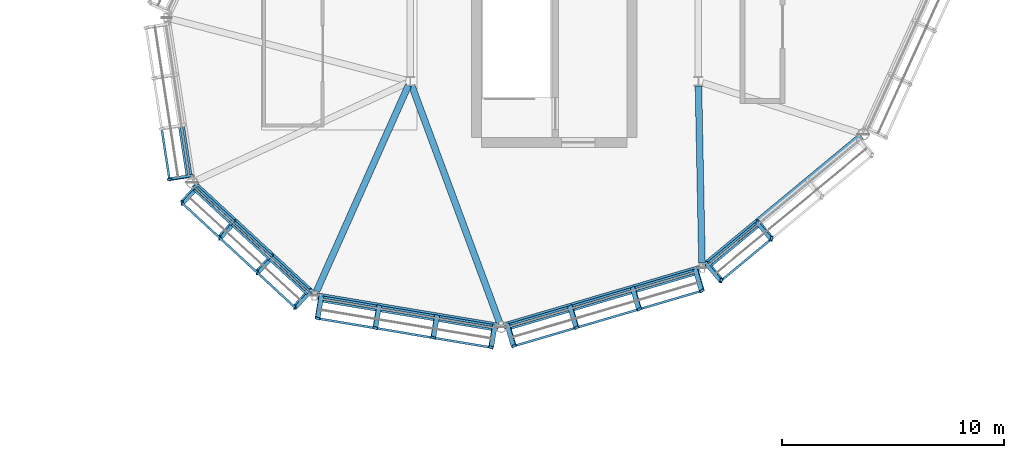
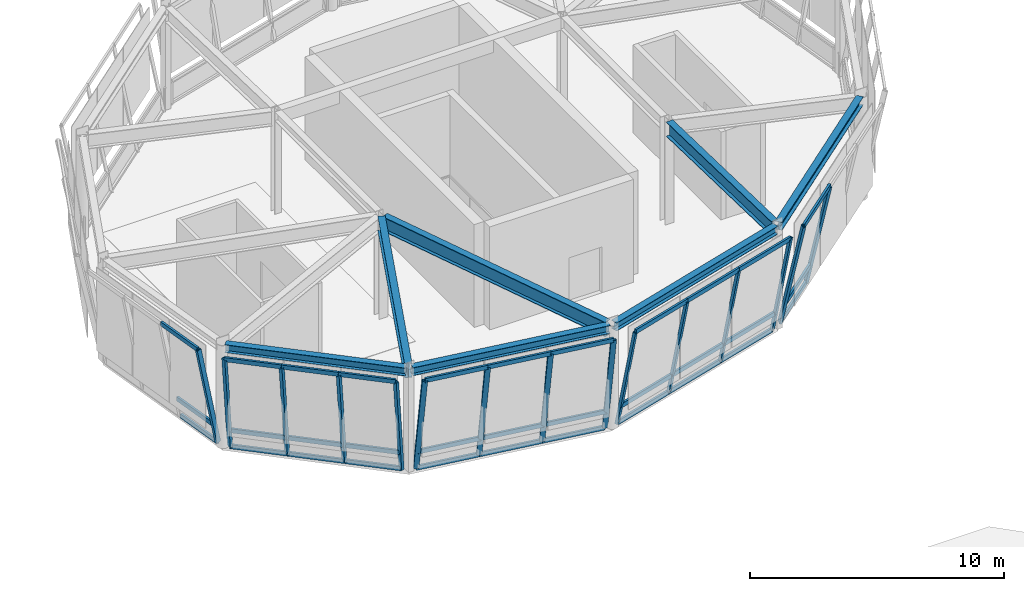
# One storey, part 54 of 113: 48 members, 7 beams, 5 elements without a shape of their own.
"""IFC4 building model written with IfcOpenShell, lengths in metres."""

from ifc_helpers import new_model, si_unit, direction, frame, origin, origin_2d, place, context, subcontext, project, spatial, hollow_rectangle, i_section, extrude, material, material_profile, profile_set, type_object, element, aggregate, save


model = new_model("IFC4")

# Units and contexts
model_context = context("Model", 3, precision=1e-05, world=origin(), true_north=direction((0.0, 1.0)))
body_context = subcontext(model_context, "Body", "Model", "MODEL_VIEW")
ifc_project = project(units=[si_unit("LENGTHUNIT", "METRE"), si_unit("AREAUNIT", "SQUARE_METRE"), si_unit("VOLUMEUNIT", "CUBIC_METRE"), si_unit("PLANEANGLEUNIT", "RADIAN"), si_unit("MASSUNIT", "GRAM", prefix="KILO")], contexts=[model_context])

# Site, building, storey
site_placement = place(None, origin())
site = spatial("IfcSite", under=ifc_project, at=site_placement, CompositionType="ELEMENT")
building_placement = place(site_placement, origin())
building = spatial("IfcBuilding", under=site, at=building_placement, Name="Linyun Crest Stadium", CompositionType="ELEMENT")
storey_placement = place(building_placement, frame((0.0, 0.0, 26.39990234375)))
storey = spatial("IfcBuildingStorey", under=building, at=storey_placement, Name="L06", CompositionType="ELEMENT", Elevation=26.39990234375)

# Beams
ifc_material_1 = material(Name="Steel Q355C", Category="steel")
ifc_material_profile_1 = material_profile(ifc_material_1, i_section(OverallWidth=0.300048828125, OverallDepth=0.389892578125, WebThickness=0.010009765625, FlangeThickness=0.01611328125, at=origin_2d()), Name="HM 390x300")
ifc_profile_set_1 = profile_set([ifc_material_profile_1], Name="Steel Q355C")
beam_type_1 = type_object("IfcBeamType", Name="B06", PredefinedType="BEAM", material=ifc_profile_set_1)
beam_1_placement = place(storey_placement, frame((57.2529296875, 75.85888671875, 4.75), z_axis=(0.734193861678, -0.678939889441, 0.0), x_axis=(0.678939889441, 0.734193861678, 0.0)))
element("IfcBeam", 1, at=beam_1_placement, inside=storey, type_object=beam_type_1, Name="Pod ring girder B06 L06 181", PredefinedType="BEAM", context=body_context, shape_type="SweptSolid", body=[
    extrude(i_section(OverallWidth=0.300048828125, OverallDepth=0.389892578125, WebThickness=0.010009765625, FlangeThickness=0.01611328125, at=origin_2d()), origin(), (0.0, 0.0, 1.0), 7.28173828125),
])
beam_2_placement = place(storey_placement, frame((62.804931640625, 70.81396484375, 4.75), z_axis=(0.986275969976, -0.165105151487, 0.0), x_axis=(0.165105151487, 0.986275969976, 0.0)))
element("IfcBeam", 2, at=beam_2_placement, inside=storey, type_object=beam_type_1, Name="Pod ring girder B06 L06 183", PredefinedType="BEAM", context=body_context, shape_type="SweptSolid", body=[
    extrude(i_section(OverallWidth=0.300048828125, OverallDepth=0.389892578125, WebThickness=0.010009765625, FlangeThickness=0.01611328125, at=origin_2d()), origin(), (0.0, 0.0, 1.0), 8.296875),
])
beam_3_placement = place(storey_placement, frame((71.220947265625, 69.4580078125, 4.75), z_axis=(0.959427571735, 0.281955199623, 0.0), x_axis=(-0.281955199623, 0.959427571735, 0.0)))
element("IfcBeam", 3, at=beam_3_placement, inside=storey, type_object=beam_type_1, Name="Pod ring girder B06 L06 185", PredefinedType="BEAM", context=body_context, shape_type="SweptSolid", body=[
    extrude(i_section(OverallWidth=0.300048828125, OverallDepth=0.389892578125, WebThickness=0.010009765625, FlangeThickness=0.01611328125, at=origin_2d()), origin(), (0.0, 0.0, 1.0), 9.203369140625),
])
beam_4_placement = place(storey_placement, frame((80.258056640625, 72.1640625, 4.75), z_axis=(0.770371409823, 0.637595397512, 0.0), x_axis=(-0.637595397512, 0.770371409823, 0.0)))
element("IfcBeam", 4, at=beam_4_placement, inside=storey, type_object=beam_type_1, Name="Pod ring girder B06 L06 187", PredefinedType="BEAM", context=body_context, shape_type="SweptSolid", body=[
    extrude(i_section(OverallWidth=0.300048828125, OverallDepth=0.389892578125, WebThickness=0.010009765625, FlangeThickness=0.01611328125, at=origin_2d()), origin(), (0.0, 0.0, 1.0), 9.204833984375),
])
ifc_material_2 = material(Name="Steel Q355C", Category="steel")
ifc_material_profile_2 = material_profile(ifc_material_2, i_section(OverallWidth=0.300048828125, OverallDepth=0.699951171875, WebThickness=0.012939453125, FlangeThickness=0.02392578125, at=origin_2d()), Name="HN 700x300")
ifc_profile_set_2 = profile_set([ifc_material_profile_2], Name="Steel Q355C")
beam_type_2 = type_object("IfcBeamType", Name="B12", PredefinedType="BEAM", material=ifc_profile_set_2)
beam_5_placement = place(storey_placement, frame((66.9189453125, 80.31689453125, 4.59521484375), z_axis=(-0.407495258441, -0.913207322763, 0.0), x_axis=(0.913207322763, -0.407495258441, 0.0)))
element("IfcBeam", 5, at=beam_5_placement, inside=storey, type_object=beam_type_2, Name="Pod radial tie girder B12 L06 184", PredefinedType="BEAM", context=body_context, shape_type="SweptSolid", body=[
    extrude(i_section(OverallWidth=0.300048828125, OverallDepth=0.699951171875, WebThickness=0.012939453125, FlangeThickness=0.02392578125, at=origin_2d()), origin(), (0.0, 0.0, 1.0), 10.1640625),
])
beam_6_placement = place(storey_placement, frame((67.070068359375, 80.31201171875, 4.59521484375), z_axis=(0.347593524127, -0.937645317796, 0.0), x_axis=(0.937645317796, 0.347593524127, 0.0)))
element("IfcBeam", 6, at=beam_6_placement, inside=storey, type_object=beam_type_2, Name="Pod radial tie girder B12 L06 186", PredefinedType="BEAM", context=body_context, shape_type="SweptSolid", body=[
    extrude(i_section(OverallWidth=0.300048828125, OverallDepth=0.699951171875, WebThickness=0.012939453125, FlangeThickness=0.02392578125, at=origin_2d()), origin(), (0.0, 0.0, 1.0), 11.392578125),
])
beam_7_placement = place(storey_placement, frame((80.00390625, 80.300048828125, 4.59521484375), z_axis=(0.01978842746, -0.999804189899, 0.0), x_axis=(0.999804189899, 0.01978842746, 0.0)))
element("IfcBeam", 7, at=beam_7_placement, inside=storey, type_object=beam_type_2, Name="Pod radial tie girder B12 L06 188", PredefinedType="BEAM", context=body_context, shape_type="SweptSolid", body=[
    extrude(i_section(OverallWidth=0.300048828125, OverallDepth=0.699951171875, WebThickness=0.012939453125, FlangeThickness=0.02392578125, at=origin_2d()), origin(), (0.0, 0.0, 1.0), 7.99462890625),
])

# Curtain wall, member
ifc_material_3 = material(Name="Verdigris steel and low-E curtain wall assembly", Category="steel")
curtain_wall_type = type_object("IfcCurtainWallType", Name="MCW04", PredefinedType="NOTDEFINED", material=ifc_material_3)
curtain_wall_1_placement = place(storey_placement, origin())
curtain_wall_1 = element("IfcCurtainWall", 8, at=curtain_wall_1_placement, inside=storey, type_object=curtain_wall_type, Name="CWR-066", PredefinedType="NOTDEFINED")
ifc_material_4 = material(Name="Verdigris painted steel Q355C pod mullion", Category="steel")
ifc_material_profile_3 = material_profile(ifc_material_4, hollow_rectangle(XDim=0.1201171875, YDim=0.219970703125, WallThickness=0.008056640625, at=origin_2d()), Name="RHS 220x120x8")
ifc_profile_set_3 = profile_set([ifc_material_profile_3], Name="Verdigris painted steel Q355C pod mullion")
member_type_1 = type_object("IfcMemberType", Name="ML04", PredefinedType="MULLION", material=ifc_profile_set_3)
member_1_placement = place(storey_placement, frame((57.118896484375, 76.237060546875, 0.0), z_axis=(-0.196953878333, -0.030274090271, 0.979945227688), x_axis=(0.297501139584, -0.954240107788, 0.030313175927)))
member_1 = element("IfcMember", 9, at=member_1_placement, type_object=member_type_1, Name="CWR-066 mullion 4", PredefinedType="MULLION", context=body_context, shape_type="SweptSolid", body=[
    extrude(hollow_rectangle(XDim=0.1201171875, YDim=0.219970703125, WallThickness=0.008056640625, at=origin_2d()), origin(), (0.0, 0.0, 1.0), 4.95947265625),
])

# Curtain wall, members
curtain_wall_2_placement = place(storey_placement, origin())
curtain_wall_2 = element("IfcCurtainWall", 10, at=curtain_wall_2_placement, inside=storey, type_object=curtain_wall_type, Name="CWR-067", PredefinedType="NOTDEFINED")
member_2_placement = place(storey_placement, frame((57.385009765625, 75.736083984375, 0.0), z_axis=(-0.135271864626, -0.146396843303, 0.979933409427), x_axis=(0.986900996133, 0.06784214931, 0.146368940042)))
member_2 = element("IfcMember", 11, at=member_2_placement, type_object=member_type_1, Name="CWR-067 mullion 1", PredefinedType="MULLION", context=body_context, shape_type="SweptSolid", body=[
    extrude(hollow_rectangle(XDim=0.1201171875, YDim=0.219970703125, WallThickness=0.008056640625, at=origin_2d()), origin(), (0.0, 0.0, 1.0), 4.959716796875),
])
member_3_placement = place(storey_placement, frame((59.0791015625, 74.169921875, 0.0), z_axis=(-0.135321163974, -0.146347697524, 0.979933943697), x_axis=(0.986924878518, 0.067498016121, 0.146367011251)))
member_3 = element("IfcMember", 12, at=member_3_placement, type_object=member_type_1, Name="CWR-067 mullion 2", PredefinedType="MULLION", context=body_context, shape_type="SweptSolid", body=[
    extrude(hollow_rectangle(XDim=0.1201171875, YDim=0.219970703125, WallThickness=0.008056640625, at=origin_2d()), origin(), (0.0, 0.0, 1.0), 4.959716796875),
])
member_4_placement = place(storey_placement, frame((60.77294921875, 72.60400390625, 0.0), z_axis=(-0.135271864626, -0.146396843303, 0.979933409427), x_axis=(0.986900996133, 0.06784214931, 0.146368940042)))
member_4 = element("IfcMember", 13, at=member_4_placement, type_object=member_type_1, Name="CWR-067 mullion 3", PredefinedType="MULLION", context=body_context, shape_type="SweptSolid", body=[
    extrude(hollow_rectangle(XDim=0.1201171875, YDim=0.219970703125, WallThickness=0.008056640625, at=origin_2d()), origin(), (0.0, 0.0, 1.0), 4.959716796875),
])
member_5_placement = place(storey_placement, frame((62.467041015625, 71.0380859375, 0.0), z_axis=(-0.135320188959, -0.146395868303, 0.979926883091), x_axis=(0.986910030281, 0.067659651153, 0.146392498909)))
member_5 = element("IfcMember", 14, at=member_5_placement, type_object=member_type_1, Name="CWR-067 mullion 4", PredefinedType="MULLION", context=body_context, shape_type="SweptSolid", body=[
    extrude(hollow_rectangle(XDim=0.1201171875, YDim=0.219970703125, WallThickness=0.008056640625, at=origin_2d()), origin(), (0.0, 0.0, 1.0), 4.959716796875),
])

curtain_wall_3_placement = place(storey_placement, origin())
curtain_wall_3 = element("IfcCurtainWall", 15, at=curtain_wall_3_placement, inside=storey, type_object=curtain_wall_type, Name="CWR-068", PredefinedType="NOTDEFINED")
member_6_placement = place(storey_placement, frame((62.98291015625, 70.783935546875, 0.0), z_axis=(-0.032833742862, -0.196559423159, 0.979942007721), x_axis=(0.322032514428, 0.926101088743, 0.196549823403)))
member_6 = element("IfcMember", 16, at=member_6_placement, type_object=member_type_1, Name="CWR-068 mullion 1", PredefinedType="MULLION", context=body_context, shape_type="SweptSolid", body=[
    extrude(hollow_rectangle(XDim=0.1201171875, YDim=0.219970703125, WallThickness=0.008056640625, at=origin_2d()), origin(), (0.0, 0.0, 1.0), 4.95947265625),
])
member_7_placement = place(storey_placement, frame((65.592041015625, 70.346923828125, 0.0), z_axis=(-0.032882915676, -0.196559105228, 0.979940422683), x_axis=(0.322257872958, 0.926021062596, 0.196557510528)))
member_7 = element("IfcMember", 17, at=member_7_placement, type_object=member_type_1, Name="CWR-068 mullion 2", PredefinedType="MULLION", context=body_context, shape_type="SweptSolid", body=[
    extrude(hollow_rectangle(XDim=0.1201171875, YDim=0.219970703125, WallThickness=0.008056640625, at=origin_2d()), origin(), (0.0, 0.0, 1.0), 4.959716796875),
])
member_8_placement = place(storey_placement, frame((68.200927734375, 69.910888671875, 0.0), z_axis=(-0.032832471524, -0.196748708666, 0.979904063902), x_axis=(0.321875734565, 0.926116536999, 0.19673375764)))
member_8 = element("IfcMember", 18, at=member_8_placement, type_object=member_type_1, Name="CWR-068 mullion 3", PredefinedType="MULLION", context=body_context, shape_type="SweptSolid", body=[
    extrude(hollow_rectangle(XDim=0.1201171875, YDim=0.219970703125, WallThickness=0.008056640625, at=origin_2d()), origin(), (0.0, 0.0, 1.0), 4.959716796875),
])
member_9_placement = place(storey_placement, frame((70.81005859375, 69.47412109375, 0.0), z_axis=(-0.032882597472, -0.196606428596, 0.979930939923), x_axis=(0.322218598261, 0.926024967951, 0.196603493527)))
member_9 = element("IfcMember", 19, at=member_9_placement, type_object=member_type_1, Name="CWR-068 mullion 4", PredefinedType="MULLION", context=body_context, shape_type="SweptSolid", body=[
    extrude(hollow_rectangle(XDim=0.1201171875, YDim=0.219970703125, WallThickness=0.008056640625, at=origin_2d()), origin(), (0.0, 0.0, 1.0), 4.959716796875),
])

curtain_wall_4_placement = place(storey_placement, origin())
curtain_wall_4 = element("IfcCurtainWall", 20, at=curtain_wall_4_placement, inside=storey, type_object=curtain_wall_type, Name="CWR-069", PredefinedType="NOTDEFINED")
member_10_placement = place(storey_placement, frame((71.39404296875, 69.509033203125, 0.0), z_axis=(0.056263528028, -0.191335374841, 0.979910807037), x_axis=(-0.535777028127, 0.822393680307, 0.1913416074)))
member_10 = element("IfcMember", 21, at=member_10_placement, type_object=member_type_1, Name="CWR-069 mullion 1", PredefinedType="MULLION", context=body_context, shape_type="SweptSolid", body=[
    extrude(hollow_rectangle(XDim=0.1201171875, YDim=0.219970703125, WallThickness=0.008056640625, at=origin_2d()), origin(), (0.0, 0.0, 1.0), 4.959716796875),
])
member_11_placement = place(storey_placement, frame((74.221923828125, 70.340087890625, 0.0), z_axis=(0.056263528028, -0.191335374841, 0.979910807037), x_axis=(-0.535777028127, 0.822393680307, 0.1913416074)))
member_11 = element("IfcMember", 22, at=member_11_placement, type_object=member_type_1, Name="CWR-069 mullion 2", PredefinedType="MULLION", context=body_context, shape_type="SweptSolid", body=[
    extrude(hollow_rectangle(XDim=0.1201171875, YDim=0.219970703125, WallThickness=0.008056640625, at=origin_2d()), origin(), (0.0, 0.0, 1.0), 4.959716796875),
])
member_12_placement = place(storey_placement, frame((77.050048828125, 71.1708984375, 0.0), z_axis=(0.056263528028, -0.191335374841, 0.979910807037), x_axis=(-0.535777028127, 0.822393680307, 0.1913416074)))
member_12 = element("IfcMember", 23, at=member_12_placement, type_object=member_type_1, Name="CWR-069 mullion 3", PredefinedType="MULLION", context=body_context, shape_type="SweptSolid", body=[
    extrude(hollow_rectangle(XDim=0.1201171875, YDim=0.219970703125, WallThickness=0.008056640625, at=origin_2d()), origin(), (0.0, 0.0, 1.0), 4.959716796875),
])
member_13_placement = place(storey_placement, frame((79.8779296875, 72.001953125, 0.0), z_axis=(0.056263528028, -0.191335374841, 0.979910807037), x_axis=(-0.535777028127, 0.822393680307, 0.1913416074)))
member_13 = element("IfcMember", 24, at=member_13_placement, type_object=member_type_1, Name="CWR-069 mullion 4", PredefinedType="MULLION", context=body_context, shape_type="SweptSolid", body=[
    extrude(hollow_rectangle(XDim=0.1201171875, YDim=0.219970703125, WallThickness=0.008056640625, at=origin_2d()), origin(), (0.0, 0.0, 1.0), 4.959716796875),
])

curtain_wall_5_placement = place(storey_placement, origin())
curtain_wall_5 = element("IfcCurtainWall", 25, at=curtain_wall_5_placement, inside=storey, type_object=curtain_wall_type, Name="CWR-070", PredefinedType="NOTDEFINED")
member_14_placement = place(storey_placement, frame((80.39697265625, 72.278076171875, 0.0), z_axis=(0.12724398281, -0.153628034951, 0.979901727581), x_axis=(-0.972586832037, 0.174539399185, 0.153658232063)))
member_14 = element("IfcMember", 26, at=member_14_placement, type_object=member_type_1, Name="CWR-070 mullion 1", PredefinedType="MULLION", context=body_context, shape_type="SweptSolid", body=[
    extrude(hollow_rectangle(XDim=0.1201171875, YDim=0.219970703125, WallThickness=0.008056640625, at=origin_2d()), origin(), (0.0, 0.0, 1.0), 4.959716796875),
])
member_15_placement = place(storey_placement, frame((82.66796875, 74.157958984375, 0.0), z_axis=(0.127247829487, -0.153435777374, 0.979931350714), x_axis=(-0.972711180682, 0.173944112656, 0.153546099423)))
member_15 = element("IfcMember", 27, at=member_15_placement, type_object=member_type_1, Name="CWR-070 mullion 2", PredefinedType="MULLION", context=body_context, shape_type="SweptSolid", body=[
    extrude(hollow_rectangle(XDim=0.1201171875, YDim=0.219970703125, WallThickness=0.008056640625, at=origin_2d()), origin(), (0.0, 0.0, 1.0), 4.959716796875),
])

# Member
ifc_material_5 = material(Name="Verdigris painted steel Q355C transom", Category="steel")
ifc_material_profile_4 = material_profile(ifc_material_5, hollow_rectangle(XDim=0.10009765625, YDim=0.199951171875, WallThickness=0.008056640625, at=origin_2d()), Name="RHS 200x100x8")
ifc_profile_set_4 = profile_set([ifc_material_profile_4], Name="Verdigris painted steel Q355C transom")
member_type_2 = type_object("IfcMemberType", Name="TR03", PredefinedType="USERDEFINED", material=ifc_profile_set_4)
member_16_placement = place(storey_placement, frame((56.76806640625, 78.51611328125, 0.0), z_axis=(0.152144700169, -0.988358229697, 0.0), x_axis=(0.988358229697, 0.152144700169, 0.0)))
member_16 = element("IfcMember", 28, at=member_16_placement, type_object=member_type_2, Name="CWR-066 transom 3.1", ObjectType="TRANSOM", PredefinedType="USERDEFINED", context=body_context, shape_type="SweptSolid", body=[
    extrude(hollow_rectangle(XDim=0.10009765625, YDim=0.199951171875, WallThickness=0.008056640625, at=origin_2d()), origin(), (0.0, 0.0, 1.0), 2.305908203125),
])

member_17_placement = place(storey_placement, frame((56.5869140625, 78.488037109375, 0.900146484375), z_axis=(0.152248123454, -0.988342303509, 0.0), x_axis=(0.988342303509, 0.152248123454, 0.0)))
member_17 = element("IfcMember", 29, at=member_17_placement, type_object=member_type_2, Name="CWR-066 transom 3.2", ObjectType="TRANSOM", PredefinedType="USERDEFINED", context=body_context, shape_type="SweptSolid", body=[
    extrude(hollow_rectangle(XDim=0.10009765625, YDim=0.199951171875, WallThickness=0.008056640625, at=origin_2d()), origin(), (0.0, 0.0, 1.0), 2.305908203125),
])

member_18_placement = place(storey_placement, frame((55.791015625, 78.365966796875, 4.860107421875), z_axis=(0.152248123454, -0.988342303509, 0.0), x_axis=(0.988342303509, 0.152248123454, 0.0)))
member_18 = element("IfcMember", 30, at=member_18_placement, type_object=member_type_2, Name="CWR-066 transom 3.3", ObjectType="TRANSOM", PredefinedType="USERDEFINED", context=body_context, shape_type="SweptSolid", body=[
    extrude(hollow_rectangle(XDim=0.10009765625, YDim=0.199951171875, WallThickness=0.008056640625, at=origin_2d()), origin(), (0.0, 0.0, 1.0), 2.305908203125),
])

aggregate(curtain_wall_1, [member_1, member_16, member_17, member_18])

member_19_placement = place(storey_placement, frame((57.385009765625, 75.736083984375, 0.0), z_axis=(0.734287991916, -0.678838084471, 0.0), x_axis=(0.678838084471, 0.734287991916, 0.0)))
member_19 = element("IfcMember", 31, at=member_19_placement, type_object=member_type_2, Name="CWR-067 transom 1.1", ObjectType="TRANSOM", PredefinedType="USERDEFINED", context=body_context, shape_type="SweptSolid", body=[
    extrude(hollow_rectangle(XDim=0.10009765625, YDim=0.199951171875, WallThickness=0.008056640625, at=origin_2d()), origin(), (0.0, 0.0, 1.0), 2.30712890625),
])

member_20_placement = place(storey_placement, frame((57.260986328125, 75.60205078125, 0.900146484375), z_axis=(0.734287991916, -0.678838084471, 0.0), x_axis=(0.678838084471, 0.734287991916, 0.0)))
member_20 = element("IfcMember", 32, at=member_20_placement, type_object=member_type_2, Name="CWR-067 transom 1.2", ObjectType="TRANSOM", PredefinedType="USERDEFINED", context=body_context, shape_type="SweptSolid", body=[
    extrude(hollow_rectangle(XDim=0.10009765625, YDim=0.199951171875, WallThickness=0.008056640625, at=origin_2d()), origin(), (0.0, 0.0, 1.0), 2.30712890625),
])

member_21_placement = place(storey_placement, frame((56.714111328125, 75.010009765625, 4.860107421875), z_axis=(0.73429197574, -0.678833775208, 0.0), x_axis=(0.678833775208, 0.73429197574, 0.0)))
member_21 = element("IfcMember", 33, at=member_21_placement, type_object=member_type_2, Name="CWR-067 transom 1.3", ObjectType="TRANSOM", PredefinedType="USERDEFINED", context=body_context, shape_type="SweptSolid", body=[
    extrude(hollow_rectangle(XDim=0.10009765625, YDim=0.199951171875, WallThickness=0.008056640625, at=origin_2d()), origin(), (0.0, 0.0, 1.0), 2.306884765625),
])

member_22_placement = place(storey_placement, frame((59.0791015625, 74.169921875, 0.0), z_axis=(0.73429197574, -0.678833775208, 0.0), x_axis=(0.678833775208, 0.73429197574, 0.0)))
member_22 = element("IfcMember", 34, at=member_22_placement, type_object=member_type_2, Name="CWR-067 transom 2.1", ObjectType="TRANSOM", PredefinedType="USERDEFINED", context=body_context, shape_type="SweptSolid", body=[
    extrude(hollow_rectangle(XDim=0.10009765625, YDim=0.199951171875, WallThickness=0.008056640625, at=origin_2d()), origin(), (0.0, 0.0, 1.0), 2.306884765625),
])

member_23_placement = place(storey_placement, frame((58.955078125, 74.035888671875, 0.900146484375), z_axis=(0.73429197574, -0.678833775208, 0.0), x_axis=(0.678833775208, 0.73429197574, 0.0)))
member_23 = element("IfcMember", 35, at=member_23_placement, type_object=member_type_2, Name="CWR-067 transom 2.2", ObjectType="TRANSOM", PredefinedType="USERDEFINED", context=body_context, shape_type="SweptSolid", body=[
    extrude(hollow_rectangle(XDim=0.10009765625, YDim=0.199951171875, WallThickness=0.008056640625, at=origin_2d()), origin(), (0.0, 0.0, 1.0), 2.306884765625),
])

member_24_placement = place(storey_placement, frame((58.407958984375, 73.444091796875, 4.860107421875), z_axis=(0.734287991916, -0.678838084471, 0.0), x_axis=(0.678838084471, 0.734287991916, 0.0)))
member_24 = element("IfcMember", 36, at=member_24_placement, type_object=member_type_2, Name="CWR-067 transom 2.3", ObjectType="TRANSOM", PredefinedType="USERDEFINED", context=body_context, shape_type="SweptSolid", body=[
    extrude(hollow_rectangle(XDim=0.10009765625, YDim=0.199951171875, WallThickness=0.008056640625, at=origin_2d()), origin(), (0.0, 0.0, 1.0), 2.30712890625),
])

member_25_placement = place(storey_placement, frame((60.77294921875, 72.60400390625, 0.0), z_axis=(0.734340741023, -0.678781022182, 0.0), x_axis=(0.678781022182, 0.734340741023, 0.0)))
member_25 = element("IfcMember", 37, at=member_25_placement, type_object=member_type_2, Name="CWR-067 transom 3.1", ObjectType="TRANSOM", PredefinedType="USERDEFINED", context=body_context, shape_type="SweptSolid", body=[
    extrude(hollow_rectangle(XDim=0.10009765625, YDim=0.199951171875, WallThickness=0.008056640625, at=origin_2d()), origin(), (0.0, 0.0, 1.0), 2.306884765625),
])

member_26_placement = place(storey_placement, frame((60.64892578125, 72.469970703125, 0.900146484375), z_axis=(0.734340741023, -0.678781022182, 0.0), x_axis=(0.678781022182, 0.734340741023, 0.0)))
member_26 = element("IfcMember", 38, at=member_26_placement, type_object=member_type_2, Name="CWR-067 transom 3.2", ObjectType="TRANSOM", PredefinedType="USERDEFINED", context=body_context, shape_type="SweptSolid", body=[
    extrude(hollow_rectangle(XDim=0.10009765625, YDim=0.199951171875, WallThickness=0.008056640625, at=origin_2d()), origin(), (0.0, 0.0, 1.0), 2.306884765625),
])

member_27_placement = place(storey_placement, frame((60.10205078125, 71.8779296875, 4.860107421875), z_axis=(0.73429197574, -0.678833775208, 0.0), x_axis=(0.678833775208, 0.73429197574, 0.0)))
member_27 = element("IfcMember", 39, at=member_27_placement, type_object=member_type_2, Name="CWR-067 transom 3.3", ObjectType="TRANSOM", PredefinedType="USERDEFINED", context=body_context, shape_type="SweptSolid", body=[
    extrude(hollow_rectangle(XDim=0.10009765625, YDim=0.199951171875, WallThickness=0.008056640625, at=origin_2d()), origin(), (0.0, 0.0, 1.0), 2.306884765625),
])

aggregate(curtain_wall_2, [member_2, member_3, member_4, member_5, member_19, member_20, member_21, member_22, member_23, member_24, member_25, member_26, member_27])

member_28_placement = place(storey_placement, frame((62.98291015625, 70.783935546875, 0.0), z_axis=(0.986261411357, -0.165192095661, 0.0), x_axis=(0.165192095661, 0.986261411357, 0.0)))
member_28 = element("IfcMember", 40, at=member_28_placement, type_object=member_type_2, Name="CWR-068 transom 1.1", ObjectType="TRANSOM", PredefinedType="USERDEFINED", context=body_context, shape_type="SweptSolid", body=[
    extrude(hollow_rectangle(XDim=0.10009765625, YDim=0.199951171875, WallThickness=0.008056640625, at=origin_2d()), origin(), (0.0, 0.0, 1.0), 2.6455078125),
])

member_29_placement = place(storey_placement, frame((62.952880859375, 70.60302734375, 0.900146484375), z_axis=(0.986321491601, -0.164832991859, 0.0), x_axis=(0.164832991859, 0.986321491601, 0.0)))
member_29 = element("IfcMember", 41, at=member_29_placement, type_object=member_type_2, Name="CWR-068 transom 1.2", ObjectType="TRANSOM", PredefinedType="USERDEFINED", context=body_context, shape_type="SweptSolid", body=[
    extrude(hollow_rectangle(XDim=0.10009765625, YDim=0.199951171875, WallThickness=0.008056640625, at=origin_2d()), origin(), (0.0, 0.0, 1.0), 2.645263671875),
])

member_30_placement = place(storey_placement, frame((62.820068359375, 69.80908203125, 4.860107421875), z_axis=(0.98625889267, -0.165207132499, 0.0), x_axis=(0.165207132499, 0.98625889267, 0.0)))
member_30 = element("IfcMember", 42, at=member_30_placement, type_object=member_type_2, Name="CWR-068 transom 1.3", ObjectType="TRANSOM", PredefinedType="USERDEFINED", context=body_context, shape_type="SweptSolid", body=[
    extrude(hollow_rectangle(XDim=0.10009765625, YDim=0.199951171875, WallThickness=0.008056640625, at=origin_2d()), origin(), (0.0, 0.0, 1.0), 2.645263671875),
])

member_31_placement = place(storey_placement, frame((65.592041015625, 70.346923828125, 0.0), z_axis=(0.986318983701, -0.164847997837, 0.0), x_axis=(0.164847997837, 0.986318983701, 0.0)))
member_31 = element("IfcMember", 43, at=member_31_placement, type_object=member_type_2, Name="CWR-068 transom 2.1", ObjectType="TRANSOM", PredefinedType="USERDEFINED", context=body_context, shape_type="SweptSolid", body=[
    extrude(hollow_rectangle(XDim=0.10009765625, YDim=0.199951171875, WallThickness=0.008056640625, at=origin_2d()), origin(), (0.0, 0.0, 1.0), 2.64501953125),
])

member_32_placement = place(storey_placement, frame((65.56201171875, 70.1669921875, 0.900146484375), z_axis=(0.98625889267, -0.165207132499, 0.0), x_axis=(0.165207132499, 0.98625889267, 0.0)))
member_32 = element("IfcMember", 44, at=member_32_placement, type_object=member_type_2, Name="CWR-068 transom 2.2", ObjectType="TRANSOM", PredefinedType="USERDEFINED", context=body_context, shape_type="SweptSolid", body=[
    extrude(hollow_rectangle(XDim=0.10009765625, YDim=0.199951171875, WallThickness=0.008056640625, at=origin_2d()), origin(), (0.0, 0.0, 1.0), 2.645263671875),
])

member_33_placement = place(storey_placement, frame((65.428955078125, 69.3720703125, 4.860107421875), z_axis=(0.986261411357, -0.165192095661, 0.0), x_axis=(0.165192095661, 0.986261411357, 0.0)))
member_33 = element("IfcMember", 45, at=member_33_placement, type_object=member_type_2, Name="CWR-068 transom 2.3", ObjectType="TRANSOM", PredefinedType="USERDEFINED", context=body_context, shape_type="SweptSolid", body=[
    extrude(hollow_rectangle(XDim=0.10009765625, YDim=0.199951171875, WallThickness=0.008056640625, at=origin_2d()), origin(), (0.0, 0.0, 1.0), 2.6455078125),
])

member_34_placement = place(storey_placement, frame((68.200927734375, 69.910888671875, 0.0), z_axis=(0.986276442989, -0.165102325864, 0.0), x_axis=(0.165102325864, 0.986276442989, 0.0)))
member_34 = element("IfcMember", 46, at=member_34_placement, type_object=member_type_2, Name="CWR-068 transom 3.1", ObjectType="TRANSOM", PredefinedType="USERDEFINED", context=body_context, shape_type="SweptSolid", body=[
    extrude(hollow_rectangle(XDim=0.10009765625, YDim=0.199951171875, WallThickness=0.008056640625, at=origin_2d()), origin(), (0.0, 0.0, 1.0), 2.6455078125),
])

member_35_placement = place(storey_placement, frame((68.1708984375, 69.72998046875, 0.900146484375), z_axis=(0.986261411357, -0.165192095661, 0.0), x_axis=(0.165192095661, 0.986261411357, 0.0)))
member_35 = element("IfcMember", 47, at=member_35_placement, type_object=member_type_2, Name="CWR-068 transom 3.2", ObjectType="TRANSOM", PredefinedType="USERDEFINED", context=body_context, shape_type="SweptSolid", body=[
    extrude(hollow_rectangle(XDim=0.10009765625, YDim=0.199951171875, WallThickness=0.008056640625, at=origin_2d()), origin(), (0.0, 0.0, 1.0), 2.6455078125),
])

member_36_placement = place(storey_placement, frame((68.0380859375, 68.93505859375, 4.860107421875), z_axis=(0.986318983701, -0.164847997837, 0.0), x_axis=(0.164847997837, 0.986318983701, 0.0)))
member_36 = element("IfcMember", 48, at=member_36_placement, type_object=member_type_2, Name="CWR-068 transom 3.3", ObjectType="TRANSOM", PredefinedType="USERDEFINED", context=body_context, shape_type="SweptSolid", body=[
    extrude(hollow_rectangle(XDim=0.10009765625, YDim=0.199951171875, WallThickness=0.008056640625, at=origin_2d()), origin(), (0.0, 0.0, 1.0), 2.64501953125),
])

aggregate(curtain_wall_3, [member_6, member_7, member_8, member_9, member_28, member_29, member_30, member_31, member_32, member_33, member_34, member_35, member_36])

member_37_placement = place(storey_placement, frame((71.39404296875, 69.509033203125, 0.0), z_axis=(0.959427469513, 0.28195554746, 0.0), x_axis=(-0.28195554746, 0.959427469513, 0.0)))
member_37 = element("IfcMember", 49, at=member_37_placement, type_object=member_type_2, Name="CWR-069 transom 1.1", ObjectType="TRANSOM", PredefinedType="USERDEFINED", context=body_context, shape_type="SweptSolid", body=[
    extrude(hollow_rectangle(XDim=0.10009765625, YDim=0.199951171875, WallThickness=0.008056640625, at=origin_2d()), origin(), (0.0, 0.0, 1.0), 2.947509765625),
])

member_38_placement = place(storey_placement, frame((71.446044921875, 69.3330078125, 0.900146484375), z_axis=(0.959427469513, 0.28195554746, 0.0), x_axis=(-0.28195554746, 0.959427469513, 0.0)))
member_38 = element("IfcMember", 50, at=member_38_placement, type_object=member_type_2, Name="CWR-069 transom 1.2", ObjectType="TRANSOM", PredefinedType="USERDEFINED", context=body_context, shape_type="SweptSolid", body=[
    extrude(hollow_rectangle(XDim=0.10009765625, YDim=0.199951171875, WallThickness=0.008056640625, at=origin_2d()), origin(), (0.0, 0.0, 1.0), 2.947509765625),
])

member_39_placement = place(storey_placement, frame((71.673095703125, 68.56005859375, 4.860107421875), z_axis=(0.959427469513, 0.28195554746, 0.0), x_axis=(-0.28195554746, 0.959427469513, 0.0)))
member_39 = element("IfcMember", 51, at=member_39_placement, type_object=member_type_2, Name="CWR-069 transom 1.3", ObjectType="TRANSOM", PredefinedType="USERDEFINED", context=body_context, shape_type="SweptSolid", body=[
    extrude(hollow_rectangle(XDim=0.10009765625, YDim=0.199951171875, WallThickness=0.008056640625, at=origin_2d()), origin(), (0.0, 0.0, 1.0), 2.947509765625),
])

member_40_placement = place(storey_placement, frame((74.221923828125, 70.340087890625, 0.0), z_axis=(0.959456454772, 0.281856898791, 0.0), x_axis=(-0.281856898791, 0.959456454772, 0.0)))
member_40 = element("IfcMember", 52, at=member_40_placement, type_object=member_type_2, Name="CWR-069 transom 2.1", ObjectType="TRANSOM", PredefinedType="USERDEFINED", context=body_context, shape_type="SweptSolid", body=[
    extrude(hollow_rectangle(XDim=0.10009765625, YDim=0.199951171875, WallThickness=0.008056640625, at=origin_2d()), origin(), (0.0, 0.0, 1.0), 2.94775390625),
])

member_41_placement = place(storey_placement, frame((74.27392578125, 70.1640625, 0.900146484375), z_axis=(0.959434053677, 0.281933142154, 0.0), x_axis=(-0.281933142154, 0.959434053677, 0.0)))
member_41 = element("IfcMember", 53, at=member_41_placement, type_object=member_type_2, Name="CWR-069 transom 2.2", ObjectType="TRANSOM", PredefinedType="USERDEFINED", context=body_context, shape_type="SweptSolid", body=[
    extrude(hollow_rectangle(XDim=0.10009765625, YDim=0.199951171875, WallThickness=0.008056640625, at=origin_2d()), origin(), (0.0, 0.0, 1.0), 2.94775390625),
])

member_42_placement = place(storey_placement, frame((74.5009765625, 69.39111328125, 4.860107421875), z_axis=(0.959456454772, 0.281856898791, 0.0), x_axis=(-0.281856898791, 0.959456454772, 0.0)))
member_42 = element("IfcMember", 54, at=member_42_placement, type_object=member_type_2, Name="CWR-069 transom 2.3", ObjectType="TRANSOM", PredefinedType="USERDEFINED", context=body_context, shape_type="SweptSolid", body=[
    extrude(hollow_rectangle(XDim=0.10009765625, YDim=0.199951171875, WallThickness=0.008056640625, at=origin_2d()), origin(), (0.0, 0.0, 1.0), 2.94775390625),
])

member_43_placement = place(storey_placement, frame((77.050048828125, 71.1708984375, 0.0), z_axis=(0.959427469513, 0.28195554746, 0.0), x_axis=(-0.28195554746, 0.959427469513, 0.0)))
member_43 = element("IfcMember", 55, at=member_43_placement, type_object=member_type_2, Name="CWR-069 transom 3.1", ObjectType="TRANSOM", PredefinedType="USERDEFINED", context=body_context, shape_type="SweptSolid", body=[
    extrude(hollow_rectangle(XDim=0.10009765625, YDim=0.199951171875, WallThickness=0.008056640625, at=origin_2d()), origin(), (0.0, 0.0, 1.0), 2.947509765625),
])

member_44_placement = place(storey_placement, frame((77.10205078125, 70.9951171875, 0.900146484375), z_axis=(0.959449874016, 0.281879299083, 0.0), x_axis=(-0.281879299083, 0.959449874016, 0.0)))
member_44 = element("IfcMember", 56, at=member_44_placement, type_object=member_type_2, Name="CWR-069 transom 3.2", ObjectType="TRANSOM", PredefinedType="USERDEFINED", context=body_context, shape_type="SweptSolid", body=[
    extrude(hollow_rectangle(XDim=0.10009765625, YDim=0.199951171875, WallThickness=0.008056640625, at=origin_2d()), origin(), (0.0, 0.0, 1.0), 2.947509765625),
])

member_45_placement = place(storey_placement, frame((77.3291015625, 70.221923828125, 4.860107421875), z_axis=(0.959427469513, 0.28195554746, 0.0), x_axis=(-0.28195554746, 0.959427469513, 0.0)))
member_45 = element("IfcMember", 57, at=member_45_placement, type_object=member_type_2, Name="CWR-069 transom 3.3", ObjectType="TRANSOM", PredefinedType="USERDEFINED", context=body_context, shape_type="SweptSolid", body=[
    extrude(hollow_rectangle(XDim=0.10009765625, YDim=0.199951171875, WallThickness=0.008056640625, at=origin_2d()), origin(), (0.0, 0.0, 1.0), 2.947509765625),
])

aggregate(curtain_wall_4, [member_10, member_11, member_12, member_13, member_37, member_38, member_39, member_40, member_41, member_42, member_43, member_44, member_45])

member_46_placement = place(storey_placement, frame((80.39697265625, 72.278076171875, 0.0), z_axis=(0.770321380351, 0.63765584054, 0.0), x_axis=(-0.63765584054, 0.770321380351, 0.0)))
member_46 = element("IfcMember", 58, at=member_46_placement, type_object=member_type_2, Name="CWR-070 transom 1.1", ObjectType="TRANSOM", PredefinedType="USERDEFINED", context=body_context, shape_type="SweptSolid", body=[
    extrude(hollow_rectangle(XDim=0.10009765625, YDim=0.199951171875, WallThickness=0.008056640625, at=origin_2d()), origin(), (0.0, 0.0, 1.0), 2.947998046875),
])

member_47_placement = place(storey_placement, frame((80.513916015625, 72.136962890625, 0.900146484375), z_axis=(0.770280703464, 0.637704977142, 0.0), x_axis=(-0.637704977142, 0.770280703464, 0.0)))
member_47 = element("IfcMember", 59, at=member_47_placement, type_object=member_type_2, Name="CWR-070 transom 1.2", ObjectType="TRANSOM", PredefinedType="USERDEFINED", context=body_context, shape_type="SweptSolid", body=[
    extrude(hollow_rectangle(XDim=0.10009765625, YDim=0.199951171875, WallThickness=0.008056640625, at=origin_2d()), origin(), (0.0, 0.0, 1.0), 2.9482421875),
])

member_48_placement = place(storey_placement, frame((81.028076171875, 71.51611328125, 4.860107421875), z_axis=(0.770158679778, 0.63785234025, 0.0), x_axis=(-0.63785234025, 0.770158679778, 0.0)))
member_48 = element("IfcMember", 60, at=member_48_placement, type_object=member_type_2, Name="CWR-070 transom 1.3", ObjectType="TRANSOM", PredefinedType="USERDEFINED", context=body_context, shape_type="SweptSolid", body=[
    extrude(hollow_rectangle(XDim=0.10009765625, YDim=0.199951171875, WallThickness=0.008056640625, at=origin_2d()), origin(), (0.0, 0.0, 1.0), 2.94873046875),
])

aggregate(curtain_wall_5, [member_14, member_15, member_46, member_47, member_48])

save(model, "model.ifc")
